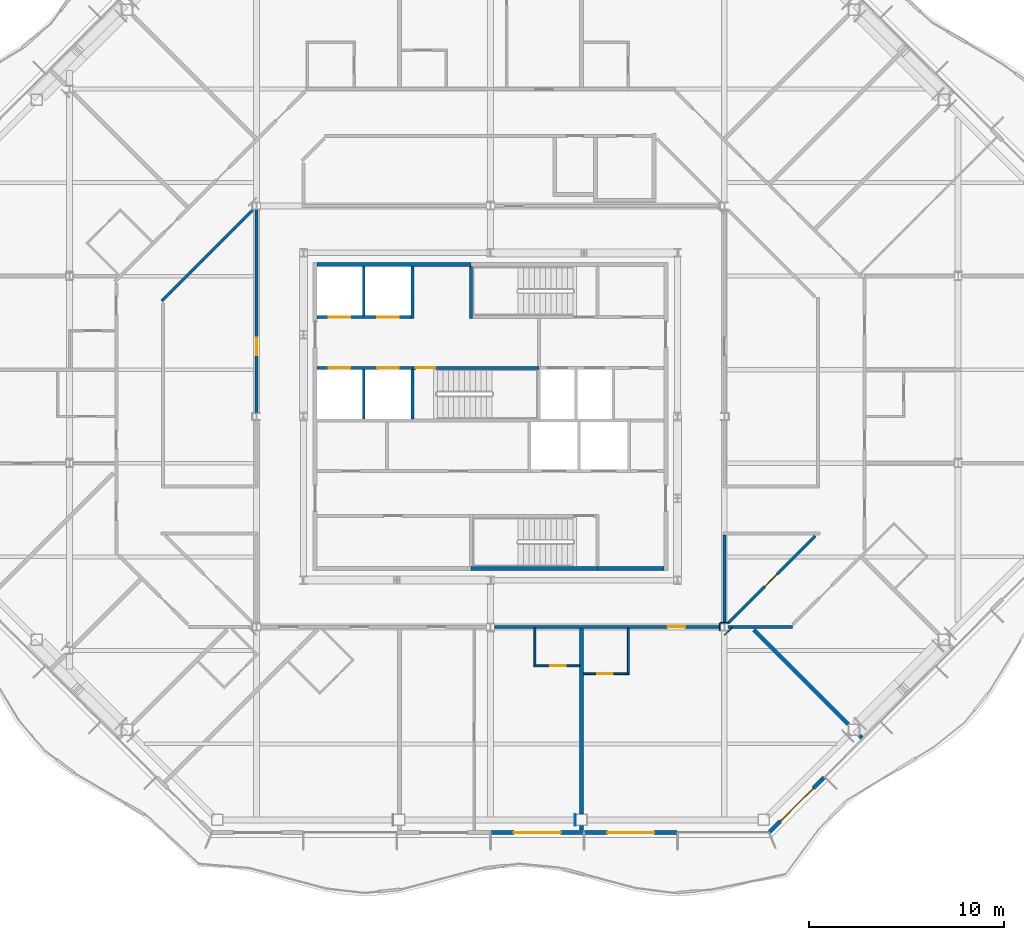
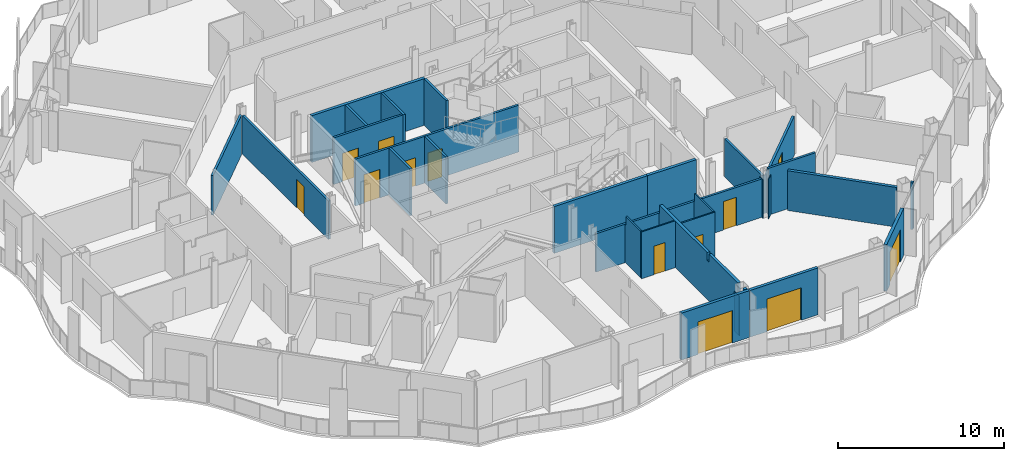
# One storey, part 9 of 21: 32 walls, 13 doors, 13 openings.
"""IFC4 building model written with IfcOpenShell, lengths in metres."""

from ifc_helpers import new_model, si_unit, direction, frame, frame_2d, origin, place, context, subcontext, project, spatial, polyline, rectangle, outline, extrude, material, layer, layer_set, type_object, element, fill, save


model = new_model("IFC4")

# Units and contexts
model_context = context("Model", 3, precision=1e-05, world=origin(), true_north=direction((0.0, 1.0)))
body_context = subcontext(model_context, "Body", "Model", "MODEL_VIEW")
ifc_project = project(units=[si_unit("LENGTHUNIT", "METRE"), si_unit("AREAUNIT", "SQUARE_METRE"), si_unit("VOLUMEUNIT", "CUBIC_METRE"), si_unit("PLANEANGLEUNIT", "RADIAN"), si_unit("MASSUNIT", "GRAM", prefix="KILO")], contexts=[model_context])

# Site, building, storey
site_placement = place(None, origin())
site = spatial("IfcSite", under=ifc_project, at=site_placement, CompositionType="ELEMENT")
building_placement = place(site_placement, origin())
building = spatial("IfcBuilding", under=site, at=building_placement, Name="Cairn Pilgrim Tower", CompositionType="ELEMENT")
storey_placement = place(building_placement, frame((0.0, 0.0, 154.199951171875)))
storey = spatial("IfcBuildingStorey", under=building, at=storey_placement, Name="L38", CompositionType="ELEMENT", Elevation=154.199951171875)

# Wall, opening, door
ifc_material_1 = material(Name="Bronze anodised aluminium insulated sandwich panel with mineral wool fill", Category="aluminium")
ifc_layer_1 = layer(ifc_material_1, 0.199951171875)
ifc_layer_set_1 = layer_set([ifc_layer_1], Name="BRONZE INFILL FRAME WALL 200")
wall_type_1 = type_object("IfcWallType", Name="BRONZE INFILL FRAME WALL 200", PredefinedType="NOTDEFINED", material=ifc_layer_set_1)
wall_1_placement = place(storey_placement, frame((7.22998046875, -18.949951171875, 0.0), z_axis=(0.0, 0.0, 1.0), x_axis=(1.0, 0.0, 0.0)))
wall_1 = element("IfcWall", 1, at=wall_1_placement, inside=storey, type_object=wall_type_1, Name="Bronze infill frame wall IW-S4", PredefinedType="NOTDEFINED", context=body_context, shape_type="SweptSolid", body=[
    extrude(rectangle(XDim=4.739990234375, YDim=0.199951171875, at=frame_2d((2.3701171875, 0.0))), origin(), (0.0, 0.0, 1.0), 3.449951171875),
])
opening_1_placement = place(wall_1_placement, frame((1.17041015625, 0.0, 0.0)))
opening_1 = element("IfcOpeningElement", 2, at=opening_1_placement, cuts=wall_1, Name="Opening 3820SB", PredefinedType="OPENING", context=body_context, shape_type="SweptSolid", body=[
    extrude(rectangle(XDim=2.39990234375, YDim=2.39990234375, at=frame_2d((1.199951171875, 1.199951171875))), frame((0.0, 0.10986328125, 0.0), z_axis=(0.0, -1.0, 0.0), x_axis=(1.0, 0.0, 0.0)), (0.0, 0.0, 1.0), 0.219970703125),
])
ifc_material_2 = material(Name="Bronze anodised aluminium frame with tinted low-E glass", Category="aluminium")
door_type_1 = type_object("IfcDoorType", Name="BALCONY SLIDING DOOR 2400x2400", OperationType="DOUBLE_DOOR_SLIDING", PredefinedType="DOOR", material=ifc_material_2)
door_1_placement = place(opening_1_placement, origin())
door_1 = element("IfcDoor", 3, at=door_1_placement, inside=storey, type_object=door_type_1, Name="Balcony sliding door 3820SB", OperationType="SINGLE_SWING_LEFT", OverallHeight=2.39990234375, OverallWidth=2.39990234375, PredefinedType="DOOR", context=body_context, shape_type="SweptSolid", body=[
    extrude(rectangle(XDim=2.39990234375, YDim=2.39990234375, at=frame_2d((1.199951171875, 1.199951171875))), frame((0.0, 0.02490234375, 0.0), z_axis=(0.0, -1.0, 0.0), x_axis=(1.0, 0.0, 0.0)), (0.0, 0.0, 1.0), 0.050048828125),
])
fill(opening_1, door_1)

wall_2_placement = place(storey_placement, frame((12.030029296875, -18.949951171875, 0.0), z_axis=(0.0, 0.0, 1.0), x_axis=(1.0, 0.0, 0.0)))
wall_2 = element("IfcWall", 4, at=wall_2_placement, inside=storey, type_object=wall_type_1, Name="Bronze infill frame wall IW-S5", PredefinedType="NOTDEFINED", context=body_context, shape_type="SweptSolid", body=[
    extrude(rectangle(XDim=4.739990234375, YDim=0.199951171875, at=frame_2d((2.3701171875, 0.0))), origin(), (0.0, 0.0, 1.0), 3.449951171875),
])
opening_2_placement = place(wall_2_placement, frame((1.169677734375, 0.0, 0.0)))
opening_2 = element("IfcOpeningElement", 5, at=opening_2_placement, cuts=wall_2, Name="Opening 3801B", PredefinedType="OPENING", context=body_context, shape_type="SweptSolid", body=[
    extrude(rectangle(XDim=2.39990234375, YDim=2.39990234375, at=frame_2d((1.199951171875, 1.199951171875))), frame((0.0, 0.10986328125, 0.0), z_axis=(0.0, -1.0, 0.0), x_axis=(1.0, 0.0, 0.0)), (0.0, 0.0, 1.0), 0.219970703125),
])
door_2_placement = place(opening_2_placement, origin())
door_2 = element("IfcDoor", 6, at=door_2_placement, inside=storey, type_object=door_type_1, Name="Balcony sliding door 3801B", OperationType="SINGLE_SWING_LEFT", OverallHeight=2.39990234375, OverallWidth=2.39990234375, PredefinedType="DOOR", context=body_context, shape_type="SweptSolid", body=[
    extrude(rectangle(XDim=2.39990234375, YDim=2.39990234375, at=frame_2d((1.199951171875, 1.199951171875))), frame((0.0, 0.02490234375, 0.0), z_axis=(0.0, -1.0, 0.0), x_axis=(1.0, 0.0, 0.0)), (0.0, 0.0, 1.0), 0.050048828125),
])
fill(opening_2, door_2)

wall_3_placement = place(storey_placement, frame((21.524658203125, -18.921630859375, 0.0), z_axis=(0.0, 0.0, 1.0), x_axis=(0.707137595296, 0.707075965734, 0.0)))
wall_3 = element("IfcWall", 7, at=wall_3_placement, inside=storey, type_object=wall_type_1, Name="Bronze infill frame wall IW-SE1", PredefinedType="NOTDEFINED", context=body_context, shape_type="SweptSolid", body=[
    extrude(rectangle(XDim=3.96142578125, YDim=0.199951171875, at=frame_2d((1.980712890625, 0.0))), origin(), (0.0, 0.0, 1.0), 3.449951171875),
])
opening_3_placement = place(wall_3_placement, frame((0.775390625, 0.0, 0.0)))
opening_3 = element("IfcOpeningElement", 8, at=opening_3_placement, cuts=wall_3, Name="Opening 3801B2", PredefinedType="OPENING", context=body_context, shape_type="SweptSolid", body=[
    extrude(rectangle(XDim=2.39990234375, YDim=2.39990234375, at=frame_2d((1.199951171875, 1.199951171875))), frame((0.0, 0.10986328125, 0.0), z_axis=(0.0, -1.0, 0.0), x_axis=(1.0, 0.0, 0.0)), (0.0, 0.0, 1.0), 0.219970703125),
])
door_3_placement = place(opening_3_placement, origin())
door_3 = element("IfcDoor", 9, at=door_3_placement, inside=storey, type_object=door_type_1, Name="Balcony sliding door 3801B2", OperationType="SINGLE_SWING_LEFT", OverallHeight=2.39990234375, OverallWidth=2.39990234375, PredefinedType="DOOR", context=body_context, shape_type="SweptSolid", body=[
    extrude(rectangle(XDim=2.39990234375, YDim=2.39990234375, at=frame_2d((1.199951171875, 1.199951171875))), frame((0.0, 0.02490234375, 0.0), z_axis=(0.0, -1.0, 0.0), x_axis=(1.0, 0.0, 0.0)), (0.0, 0.0, 1.0), 0.050048828125),
])
fill(opening_3, door_3)

# Walls
ifc_material_3 = material(Name="Concrete C32/40", Category="concrete")
ifc_layer_2 = layer(ifc_material_3, 0.199951171875)
ifc_layer_set_2 = layer_set([ifc_layer_2], Name="CORE OUTER WALL 200 EI 120")
wall_type_2 = type_object("IfcWallType", Name="CORE OUTER WALL 200 EI 120", PredefinedType="SOLIDWALL", material=ifc_layer_set_2)
wall_4_placement = place(storey_placement, frame((12.699951171875, -5.39990234375, 0.0), z_axis=(0.0, 0.0, 1.0), x_axis=(1.0, 0.0, 0.0)))
element("IfcWall", 10, at=wall_4_placement, inside=storey, type_object=wall_type_2, Name="CW:L38:H01-3", PredefinedType="SOLIDWALL", context=body_context, shape_type="SweptSolid", body=[
    extrude(rectangle(XDim=3.400146484375, YDim=0.199951171875, at=frame_2d((1.7001953125, 0.0))), origin(), (0.0, 0.0, 1.0), 3.449951171875),
])
wall_5_placement = place(storey_placement, frame((-1.699951171875, 10.199951171875, 0.0), z_axis=(0.0, 0.0, 1.0), x_axis=(1.0, 0.0, 0.0)))
element("IfcWall", 11, at=wall_5_placement, inside=storey, type_object=wall_type_2, Name="CW:L38:H12-1", PredefinedType="SOLIDWALL", context=body_context, shape_type="SweptSolid", body=[
    extrude(rectangle(XDim=7.89990234375, YDim=0.199951171875, at=frame_2d((3.949951171875, 0.0))), origin(), (0.0, 0.0, 1.0), 3.449951171875),
])

# Wall, openings, doors
ifc_layer_3 = layer(ifc_material_3, 0.14990234375)
ifc_layer_set_3 = layer_set([ifc_layer_3], Name="CORE SHAFT WALL 150 EI 120")
wall_type_3 = type_object("IfcWallType", Name="CORE SHAFT WALL 150 EI 120", PredefinedType="SOLIDWALL", material=ifc_layer_set_3)
wall_6_placement = place(storey_placement, frame((-1.699951171875, 4.89990234375, 0.0), z_axis=(0.0, 0.0, 1.0), x_axis=(1.0, 0.0, 0.0)))
wall_6 = element("IfcWall", 12, at=wall_6_placement, inside=storey, type_object=wall_type_3, Name="CW:L38:H09-1", PredefinedType="SOLIDWALL", context=body_context, shape_type="SweptSolid", body=[
    extrude(rectangle(XDim=4.89990234375, YDim=0.14990234375, at=frame_2d((2.449951171875, 0.0))), origin(), (0.0, 0.0, 1.0), 3.449951171875),
])
opening_4_placement = place(wall_6_placement, frame((0.60009765625, 0.0, 0.0)))
opening_4 = element("IfcOpeningElement", 13, at=opening_4_placement, cuts=wall_6, Name="Opening LD-HR1", PredefinedType="OPENING", context=body_context, shape_type="SweptSolid", body=[
    extrude(rectangle(XDim=1.10009765625, YDim=2.10009765625, at=frame_2d((0.550048828125, 1.050048828125))), frame((0.0, 0.0849609375, 0.0), z_axis=(0.0, -1.0, 0.0), x_axis=(1.0, 0.0, 0.0)), (0.0, 0.0, 1.0), 0.169921875),
])
opening_5_placement = place(wall_6_placement, frame((3.10009765625, 0.0, 0.0)))
opening_5 = element("IfcOpeningElement", 14, at=opening_5_placement, cuts=wall_6, Name="Opening LD-HR2", PredefinedType="OPENING", context=body_context, shape_type="SweptSolid", body=[
    extrude(rectangle(XDim=1.10009765625, YDim=2.10009765625, at=frame_2d((0.550048828125, 1.050048828125))), frame((0.0, 0.0849609375, 0.0), z_axis=(0.0, -1.0, 0.0), x_axis=(1.0, 0.0, 0.0)), (0.0, 0.0, 1.0), 0.169921875),
])
ifc_material_4 = material(Name="Stainless steel", Category="steel")
door_type_2 = type_object("IfcDoorType", Name="LIFT LANDING DOOR 1100x2100", OperationType="DOUBLE_DOOR_SLIDING", PredefinedType="DOOR", material=ifc_material_4)
door_4_placement = place(opening_4_placement, origin())
door_4 = element("IfcDoor", 15, at=door_4_placement, inside=storey, type_object=door_type_2, Name="LANDING DOOR HR1", OperationType="DOUBLE_DOOR_SLIDING", OverallHeight=2.10009765625, OverallWidth=1.10009765625, PredefinedType="DOOR", context=body_context, shape_type="SweptSolid", body=[
    extrude(rectangle(XDim=1.10009765625, YDim=2.10009765625, at=frame_2d((0.550048828125, 1.050048828125))), frame((0.0, 0.02490234375, 0.0), z_axis=(0.0, -1.0, 0.0), x_axis=(1.0, 0.0, 0.0)), (0.0, 0.0, 1.0), 0.050048828125),
])
fill(opening_4, door_4)
door_5_placement = place(opening_5_placement, origin())
door_5 = element("IfcDoor", 16, at=door_5_placement, inside=storey, type_object=door_type_2, Name="LANDING DOOR HR2", OperationType="DOUBLE_DOOR_SLIDING", OverallHeight=2.10009765625, OverallWidth=1.10009765625, PredefinedType="DOOR", context=body_context, shape_type="SweptSolid", body=[
    extrude(rectangle(XDim=1.10009765625, YDim=2.10009765625, at=frame_2d((0.550048828125, 1.050048828125))), frame((0.0, 0.02490234375, 0.0), z_axis=(0.0, -1.0, 0.0), x_axis=(1.0, 0.0, 0.0)), (0.0, 0.0, 1.0), 0.050048828125),
])
fill(opening_5, door_5)

wall_7_placement = place(storey_placement, frame((-1.699951171875, 7.5, 0.0), z_axis=(0.0, 0.0, 1.0), x_axis=(1.0, 0.0, 0.0)))
wall_7 = element("IfcWall", 17, at=wall_7_placement, inside=storey, type_object=wall_type_3, Name="CW:L38:H10", PredefinedType="SOLIDWALL", context=body_context, shape_type="SweptSolid", body=[
    extrude(rectangle(XDim=4.824951171875, YDim=0.14990234375, at=frame_2d((2.41259765625, 0.0))), origin(), (0.0, 0.0, 1.0), 3.449951171875),
])
opening_6_placement = place(wall_7_placement, frame((0.60009765625, 0.0, 0.0)))
opening_6 = element("IfcOpeningElement", 18, at=opening_6_placement, cuts=wall_7, Name="Opening LD-HR3", PredefinedType="OPENING", context=body_context, shape_type="SweptSolid", body=[
    extrude(rectangle(XDim=1.10009765625, YDim=2.10009765625, at=frame_2d((0.550048828125, 1.050048828125))), frame((0.0, 0.0849609375, 0.0), z_axis=(0.0, -1.0, 0.0), x_axis=(1.0, 0.0, 0.0)), (0.0, 0.0, 1.0), 0.169921875),
])
opening_7_placement = place(wall_7_placement, frame((3.10009765625, 0.0, 0.0)))
opening_7 = element("IfcOpeningElement", 19, at=opening_7_placement, cuts=wall_7, Name="Opening LD-HR4", PredefinedType="OPENING", context=body_context, shape_type="SweptSolid", body=[
    extrude(rectangle(XDim=1.10009765625, YDim=2.10009765625, at=frame_2d((0.550048828125, 1.050048828125))), frame((0.0, 0.0849609375, 0.0), z_axis=(0.0, -1.0, 0.0), x_axis=(1.0, 0.0, 0.0)), (0.0, 0.0, 1.0), 0.169921875),
])
door_6_placement = place(opening_6_placement, origin())
door_6 = element("IfcDoor", 20, at=door_6_placement, inside=storey, type_object=door_type_2, Name="LANDING DOOR HR3", OperationType="DOUBLE_DOOR_SLIDING", OverallHeight=2.10009765625, OverallWidth=1.10009765625, PredefinedType="DOOR", context=body_context, shape_type="SweptSolid", body=[
    extrude(rectangle(XDim=1.10009765625, YDim=2.10009765625, at=frame_2d((0.550048828125, 1.050048828125))), frame((0.0, 0.02490234375, 0.0), z_axis=(0.0, -1.0, 0.0), x_axis=(1.0, 0.0, 0.0)), (0.0, 0.0, 1.0), 0.050048828125),
])
fill(opening_6, door_6)
door_7_placement = place(opening_7_placement, origin())
door_7 = element("IfcDoor", 21, at=door_7_placement, inside=storey, type_object=door_type_2, Name="LANDING DOOR HR4", OperationType="DOUBLE_DOOR_SLIDING", OverallHeight=2.10009765625, OverallWidth=1.10009765625, PredefinedType="DOOR", context=body_context, shape_type="SweptSolid", body=[
    extrude(rectangle(XDim=1.10009765625, YDim=2.10009765625, at=frame_2d((0.550048828125, 1.050048828125))), frame((0.0, 0.02490234375, 0.0), z_axis=(0.0, -1.0, 0.0), x_axis=(1.0, 0.0, 0.0)), (0.0, 0.0, 1.0), 0.050048828125),
])
fill(opening_7, door_7)

# Walls
wall_8_placement = place(storey_placement, frame((0.699951171875, 2.27490234375, 0.0), z_axis=(0.0, 0.0, 1.0), x_axis=(0.0, 1.0, 0.0)))
element("IfcWall", 22, at=wall_8_placement, inside=storey, type_object=wall_type_3, Name="CW:L38:V14", PredefinedType="SOLIDWALL", context=body_context, shape_type="SweptSolid", body=[
    extrude(rectangle(XDim=2.550048828125, YDim=0.14990234375, at=frame_2d((1.27490234375, 0.0))), origin(), (0.0, 0.0, 1.0), 3.449951171875),
])
wall_9_placement = place(storey_placement, frame((0.699951171875, 7.574951171875, 0.0), z_axis=(0.0, 0.0, 1.0), x_axis=(0.0, 1.0, 0.0)))
element("IfcWall", 23, at=wall_9_placement, inside=storey, type_object=wall_type_3, Name="CW:L38:V15", PredefinedType="SOLIDWALL", context=body_context, shape_type="SweptSolid", body=[
    extrude(rectangle(XDim=2.525146484375, YDim=0.14990234375, at=frame_2d((1.2626953125, 0.0))), origin(), (0.0, 0.0, 1.0), 3.449951171875),
])
wall_10_placement = place(storey_placement, frame((3.199951171875, 7.425048828125, 0.0), z_axis=(0.0, 0.0, 1.0), x_axis=(0.0, 1.0, 0.0)))
element("IfcWall", 24, at=wall_10_placement, inside=storey, type_object=wall_type_3, Name="CW:L38:V18", PredefinedType="SOLIDWALL", context=body_context, shape_type="SweptSolid", body=[
    extrude(rectangle(XDim=2.675048828125, YDim=0.14990234375, at=frame_2d((1.33740234375, 0.0))), origin(), (0.0, 0.0, 1.0), 3.449951171875),
])

# Wall, opening, door
ifc_material_5 = material(Name="Gypsum partition")
ifc_layer_4 = layer(ifc_material_5, 0.10009765625)
ifc_layer_set_4 = layer_set([ifc_layer_4], Name="PARTITION 100 DRYWALL")
wall_type_4 = type_object("IfcWallType", Name="PARTITION 100 DRYWALL", PredefinedType="PARTITIONING", material=ifc_layer_set_4)
wall_11_placement = place(storey_placement, frame((11.97607421875, -10.800048828125, 0.0), z_axis=(0.0, 0.0, 1.0), x_axis=(1.0, 0.0, 0.0)))
wall_11 = element("IfcWall", 25, at=wall_11_placement, inside=storey, type_object=wall_type_4, Name="PARTITION W015", PredefinedType="PARTITIONING", context=body_context, shape_type="SweptSolid", body=[
    extrude(rectangle(XDim=2.349853515625, YDim=0.10009765625, at=frame_2d((1.1748046875, 0.0))), origin(), (0.0, 0.0, 1.0), 3.449951171875),
])
opening_8_placement = place(wall_11_placement, frame((0.699951171875, 0.0, 0.0)))
opening_8 = element("IfcOpeningElement", 26, at=opening_8_placement, cuts=wall_11, Name="Opening 3801A", PredefinedType="OPENING", context=body_context, shape_type="SweptSolid", body=[
    extrude(rectangle(XDim=0.800048828125, YDim=2.10009765625, at=frame_2d((0.39990234375, 1.050048828125))), frame((0.0, 0.06005859375, 0.0), z_axis=(0.0, -1.0, 0.0), x_axis=(1.0, 0.0, 0.0)), (0.0, 0.0, 1.0), 0.1201171875),
])
ifc_material_6 = material(Name="Timber door leaf", Category="wood")
door_type_3 = type_object("IfcDoorType", Name="WC DOOR 800x2100", OperationType="NOTDEFINED", PredefinedType="DOOR", material=ifc_material_6)
door_8_placement = place(opening_8_placement, frame((0.800048828125, 0.0, 0.0), z_axis=(0.0, 0.0, 1.0), x_axis=(-1.0, 0.0, 0.0)))
door_8 = element("IfcDoor", 27, at=door_8_placement, inside=storey, type_object=door_type_3, Name="DOOR 3801A", OperationType="SINGLE_SWING_LEFT", OverallHeight=2.10009765625, OverallWidth=0.800048828125, PredefinedType="DOOR", context=body_context, shape_type="SweptSolid", body=[
    extrude(rectangle(XDim=0.800048828125, YDim=2.10009765625, at=frame_2d((0.39990234375, 1.050048828125))), frame((0.0, 0.02490234375, 0.0), z_axis=(0.0, -1.0, 0.0), x_axis=(1.0, 0.0, 0.0)), (0.0, 0.0, 1.0), 0.050048828125),
])
fill(opening_8, door_8)

# Wall
wall_12_placement = place(storey_placement, frame((14.27587890625, -10.75, 0.0), z_axis=(0.0, 0.0, 1.0), x_axis=(0.0, 1.0, 0.0)))
element("IfcWall", 28, at=wall_12_placement, inside=storey, type_object=wall_type_4, Name="PARTITION W016", PredefinedType="PARTITIONING", context=body_context, shape_type="SweptSolid", body=[
    extrude(outline(polyline([(0.0, 0.0), (2.27490234375, 0.0), (2.27490234375, 2.830078125), (2.199951171875, 2.830078125), (2.197998046875, 3.449951171875), (0.0, 3.449951171875), (0.0, 0.0)])), frame((0.0, 0.050048828125, 0.0), z_axis=(0.0, -1.0, 0.0), x_axis=(1.0, 0.0, 0.0)), (0.0, 0.0, 1.0), 0.10009765625),
])

# Wall, opening, door
wall_13_placement = place(storey_placement, frame((9.426025390625, -10.39990234375, 0.0), z_axis=(0.0, 0.0, 1.0), x_axis=(1.0, 0.0, 0.0)))
wall_13 = element("IfcWall", 29, at=wall_13_placement, inside=storey, type_object=wall_type_4, Name="PARTITION W018", PredefinedType="PARTITIONING", context=body_context, shape_type="SweptSolid", body=[
    extrude(rectangle(XDim=2.349853515625, YDim=0.10009765625, at=frame_2d((1.1748046875, 0.0))), origin(), (0.0, 0.0, 1.0), 3.449951171875),
])
opening_9_placement = place(wall_13_placement, frame((0.85009765625, 0.0, 0.0)))
opening_9 = element("IfcOpeningElement", 30, at=opening_9_placement, cuts=wall_13, Name="Opening 3820A", PredefinedType="OPENING", context=body_context, shape_type="SweptSolid", body=[
    extrude(rectangle(XDim=0.800048828125, YDim=2.10009765625, at=frame_2d((0.39990234375, 1.050048828125))), frame((0.0, 0.06005859375, 0.0), z_axis=(0.0, -1.0, 0.0), x_axis=(1.0, 0.0, 0.0)), (0.0, 0.0, 1.0), 0.1201171875),
])
door_9_placement = place(opening_9_placement, frame((0.800048828125, 0.0, 0.0), z_axis=(0.0, 0.0, 1.0), x_axis=(-1.0, 0.0, 0.0)))
door_9 = element("IfcDoor", 31, at=door_9_placement, inside=storey, type_object=door_type_3, Name="DOOR 3820A", OperationType="SINGLE_SWING_LEFT", OverallHeight=2.10009765625, OverallWidth=0.800048828125, PredefinedType="DOOR", context=body_context, shape_type="SweptSolid", body=[
    extrude(rectangle(XDim=0.800048828125, YDim=2.10009765625, at=frame_2d((0.39990234375, 1.050048828125))), frame((0.0, 0.02490234375, 0.0), z_axis=(0.0, -1.0, 0.0), x_axis=(1.0, 0.0, 0.0)), (0.0, 0.0, 1.0), 0.050048828125),
])
fill(opening_9, door_9)

# Wall
wall_14_placement = place(storey_placement, frame((9.47607421875, -10.35009765625, 0.0), z_axis=(0.0, 0.0, 1.0), x_axis=(0.0, 1.0, 0.0)))
element("IfcWall", 32, at=wall_14_placement, inside=storey, type_object=wall_type_4, Name="PARTITION W019", PredefinedType="PARTITIONING", context=body_context, shape_type="SweptSolid", body=[
    extrude(outline(polyline([(0.0, 0.0), (1.875, 0.0), (1.875, 2.830078125), (1.800048828125, 2.830078125), (1.798095703125, 3.449951171875), (0.0, 3.449951171875), (0.0, 0.0)])), frame((0.0, 0.050048828125, 0.0), z_axis=(0.0, -1.0, 0.0), x_axis=(1.0, 0.0, 0.0)), (0.0, 0.0, 1.0), 0.10009765625),
])

# Wall, opening, door
ifc_layer_5 = layer(ifc_material_5, 0.14990234375)
ifc_layer_set_5 = layer_set([ifc_layer_5], Name="PARTITION 150 DRYWALL EI 60")
wall_type_5 = type_object("IfcWallType", Name="PARTITION 150 DRYWALL EI 60", PredefinedType="PARTITIONING", material=ifc_layer_set_5)
wall_15_placement = place(storey_placement, frame((7.3994140625, -8.39990234375, 0.0), z_axis=(0.0, 0.0, 1.0), x_axis=(1.0, 0.0, 0.0)))
wall_15 = element("IfcWall", 33, at=wall_15_placement, inside=storey, type_object=wall_type_5, Name="PARTITION W028", PredefinedType="PARTITIONING", context=body_context, shape_type="SweptSolid", body=[
    extrude(rectangle(XDim=11.60107421875, YDim=0.14990234375, at=frame_2d((5.800537109375, 0.0))), origin(), (0.0, 0.0, 1.0), 2.830078125),
])
opening_10_placement = place(wall_15_placement, frame((8.888427734375, 0.0, 0.0)))
opening_10 = element("IfcOpeningElement", 34, at=opening_10_placement, cuts=wall_15, Name="Opening 3801", PredefinedType="OPENING", context=body_context, shape_type="SweptSolid", body=[
    extrude(rectangle(XDim=0.89990234375, YDim=2.10009765625, at=frame_2d((0.449951171875, 1.050048828125))), frame((0.0, 0.0849609375, 0.0), z_axis=(0.0, -1.0, 0.0), x_axis=(1.0, 0.0, 0.0)), (0.0, 0.0, 1.0), 0.169921875),
])
door_type_4 = type_object("IfcDoorType", Name="ROOM DOOR 900x2100 FD30S", OperationType="NOTDEFINED", PredefinedType="DOOR", material=ifc_material_6)
door_10_placement = place(opening_10_placement, frame((0.89990234375, 0.0, 0.0), z_axis=(0.0, 0.0, 1.0), x_axis=(-1.0, 0.0, 0.0)))
door_10 = element("IfcDoor", 35, at=door_10_placement, inside=storey, type_object=door_type_4, Name="DOOR 3801", OperationType="SINGLE_SWING_LEFT", OverallHeight=2.10009765625, OverallWidth=0.89990234375, PredefinedType="DOOR", context=body_context, shape_type="SweptSolid", body=[
    extrude(rectangle(XDim=0.89990234375, YDim=2.10009765625, at=frame_2d((0.449951171875, 1.050048828125))), frame((0.0, 0.02490234375, 0.0), z_axis=(0.0, -1.0, 0.0), x_axis=(1.0, 0.0, 0.0)), (0.0, 0.0, 1.0), 0.050048828125),
])
fill(opening_10, door_10)

# Walls
wall_16_placement = place(storey_placement, frame((19.3994140625, -8.39990234375, 0.0), z_axis=(0.0, 0.0, 1.0), x_axis=(1.0, 0.0, 0.0)))
element("IfcWall", 36, at=wall_16_placement, inside=storey, type_object=wall_type_5, Name="PARTITION W029", PredefinedType="PARTITIONING", context=body_context, shape_type="SweptSolid", body=[
    extrude(rectangle(XDim=3.300537109375, YDim=0.14990234375, at=frame_2d((1.650390625, 0.0))), origin(), (0.0, 0.0, 1.0), 3.449951171875),
])
wall_17_placement = place(storey_placement, frame((19.199951171875, -8.20361328125, 0.0), z_axis=(0.0, 0.0, 1.0), x_axis=(0.0, 1.0, 0.0)))
element("IfcWall", 37, at=wall_17_placement, inside=storey, type_object=wall_type_5, Name="PARTITION W034", PredefinedType="PARTITIONING", context=body_context, shape_type="SweptSolid", body=[
    extrude(rectangle(XDim=4.528564453125, YDim=0.14990234375, at=frame_2d((2.26416015625, 0.0))), origin(), (0.0, 0.0, 1.0), 2.830078125),
])

# Wall, opening, door
wall_18_placement = place(storey_placement, frame((19.39794921875, -8.201904296875, 0.0), z_axis=(0.0, 0.0, 1.0), x_axis=(0.707126073897, 0.70708748795, 0.0)))
wall_18 = element("IfcWall", 38, at=wall_18_placement, inside=storey, type_object=wall_type_5, Name="PARTITION W035", PredefinedType="PARTITIONING", context=body_context, shape_type="SweptSolid", body=[
    extrude(rectangle(XDim=6.3271484375, YDim=0.14990234375, at=frame_2d((3.16357421875, 0.0))), origin(), (0.0, 0.0, 1.0), 2.880126953125),
])
opening_11_placement = place(wall_18_placement, frame((2.6640625, 0.0, 0.0)))
opening_11 = element("IfcOpeningElement", 39, at=opening_11_placement, cuts=wall_18, Name="Opening 3825", PredefinedType="OPENING", context=body_context, shape_type="SweptSolid", body=[
    extrude(rectangle(XDim=0.89990234375, YDim=2.10009765625, at=frame_2d((0.449951171875, 1.050048828125))), frame((0.0, 0.0849609375, 0.0), z_axis=(0.0, -1.0, 0.0), x_axis=(1.0, 0.0, 0.0)), (0.0, 0.0, 1.0), 0.169921875),
])
door_type_5 = type_object("IfcDoorType", Name="SERVICE DOOR 900x2100 FD30S", OperationType="NOTDEFINED", PredefinedType="DOOR", material=ifc_material_6)
door_11_placement = place(opening_11_placement, origin())
door_11 = element("IfcDoor", 40, at=door_11_placement, inside=storey, type_object=door_type_5, Name="DOOR 3825", OperationType="SINGLE_SWING_LEFT", OverallHeight=2.10009765625, OverallWidth=0.89990234375, PredefinedType="DOOR", context=body_context, shape_type="SweptSolid", body=[
    extrude(rectangle(XDim=0.89990234375, YDim=2.10009765625, at=frame_2d((0.449951171875, 1.050048828125))), frame((0.0, 0.02490234375, 0.0), z_axis=(0.0, -1.0, 0.0), x_axis=(1.0, 0.0, 0.0)), (0.0, 0.0, 1.0), 0.050048828125),
])
fill(opening_11, door_11)

wall_19_placement = place(storey_placement, frame((-4.800048828125, 2.596435546875, 0.0), z_axis=(0.0, 0.0, 1.0), x_axis=(0.0, 1.0, 0.0)))
wall_19 = element("IfcWall", 41, at=wall_19_placement, inside=storey, type_object=wall_type_5, Name="PARTITION W058", PredefinedType="PARTITIONING", context=body_context, shape_type="SweptSolid", body=[
    extrude(rectangle(XDim=10.406982421875, YDim=0.14990234375, at=frame_2d((5.20361328125, 0.0))), origin(), (0.0, 0.0, 1.0), 2.830078125),
])
opening_12_placement = place(wall_19_placement, frame((2.95361328125, 0.0, 0.0)))
opening_12 = element("IfcOpeningElement", 42, at=opening_12_placement, cuts=wall_19, Name="Opening 3828", PredefinedType="OPENING", context=body_context, shape_type="SweptSolid", body=[
    extrude(rectangle(XDim=0.89990234375, YDim=2.10009765625, at=frame_2d((0.449951171875, 1.050048828125))), frame((0.0, 0.0849609375, 0.0), z_axis=(0.0, -1.0, 0.0), x_axis=(1.0, 0.0, 0.0)), (0.0, 0.0, 1.0), 0.169921875),
])
door_12_placement = place(opening_12_placement, origin())
door_12 = element("IfcDoor", 43, at=door_12_placement, inside=storey, type_object=door_type_5, Name="DOOR 3828", OperationType="SINGLE_SWING_LEFT", OverallHeight=2.10009765625, OverallWidth=0.89990234375, PredefinedType="DOOR", context=body_context, shape_type="SweptSolid", body=[
    extrude(rectangle(XDim=0.89990234375, YDim=2.10009765625, at=frame_2d((0.449951171875, 1.050048828125))), frame((0.0, 0.02490234375, 0.0), z_axis=(0.0, -1.0, 0.0), x_axis=(1.0, 0.0, 0.0)), (0.0, 0.0, 1.0), 0.050048828125),
])
fill(opening_12, door_12)

# Walls
wall_20_placement = place(storey_placement, frame((-9.675048828125, 8.324951171875, 0.0), z_axis=(0.0, 0.0, 1.0), x_axis=(0.707106781187, 0.707106781187, 0.0)))
element("IfcWall", 44, at=wall_20_placement, inside=storey, type_object=wall_type_5, Name="PARTITION W066", PredefinedType="PARTITIONING", context=body_context, shape_type="SweptSolid", body=[
    extrude(rectangle(XDim=6.6142578125, YDim=0.14990234375, at=frame_2d((3.30712890625, 0.0))), origin(), (0.0, 0.0, 1.0), 2.929931640625),
])
ifc_layer_6 = layer(ifc_material_5, 0.050048828125)
ifc_layer_set_6 = layer_set([ifc_layer_6], Name="PARTITION 50 DRYWALL EI 60")
wall_type_6 = type_object("IfcWallType", Name="PARTITION 50 DRYWALL EI 60", PredefinedType="PARTITIONING", material=ifc_layer_set_6)
wall_21_placement = place(storey_placement, frame((11.55078125, -18.60009765625, 0.0), z_axis=(0.0, 0.0, 1.0), x_axis=(0.0, 1.0, 0.0)))
element("IfcWall", 45, at=wall_21_placement, inside=storey, type_object=wall_type_6, Name="COLUMN CASING WC02", PredefinedType="PARTITIONING", context=body_context, shape_type="SweptSolid", body=[
    extrude(rectangle(XDim=0.60009765625, YDim=0.050048828125, at=frame_2d((0.300048828125, 0.0))), origin(), (0.0, 0.0, 1.0), 2.929931640625),
])
wall_22_placement = place(storey_placement, frame((19.00048828125, -8.178466796875, 0.0), z_axis=(0.0, 0.0, 1.0), x_axis=(1.0, 0.0, 0.0)))
element("IfcWall", 46, at=wall_22_placement, inside=storey, type_object=wall_type_6, Name="COLUMN CASING WC12", PredefinedType="PARTITIONING", context=body_context, shape_type="SweptSolid", body=[
    extrude(rectangle(XDim=0.39892578125, YDim=0.050048828125, at=frame_2d((0.199462890625, 0.0))), origin(), (0.0, 0.0, 1.0), 2.830078125),
])
wall_23_placement = place(storey_placement, frame((18.9755859375, -8.596435546875, 0.0), z_axis=(0.0, 0.0, 1.0), x_axis=(0.0, 1.0, 0.0)))
element("IfcWall", 47, at=wall_23_placement, inside=storey, type_object=wall_type_6, Name="COLUMN CASING WC15", PredefinedType="PARTITIONING", context=body_context, shape_type="SweptSolid", body=[
    extrude(rectangle(XDim=0.392822265625, YDim=0.050048828125, at=frame_2d((0.1962890625, 0.0))), origin(), (0.0, 0.0, 1.0), 2.830078125),
])
wall_24_placement = place(storey_placement, frame((19.2177734375, -8.813720703125, 0.0), z_axis=(0.0, 0.0, 1.0), x_axis=(0.707106781187, 0.707106781187, 0.0)))
element("IfcWall", 48, at=wall_24_placement, inside=storey, type_object=wall_type_6, Name="COLUMN CASING WC16", PredefinedType="PARTITIONING", context=body_context, shape_type="SweptSolid", body=[
    extrude(rectangle(XDim=0.56005859375, YDim=0.050048828125, at=frame_2d((0.280029296875, 0.0))), origin(), (0.0, 0.0, 1.0), 2.929931640625),
])
ifc_layer_7 = layer(ifc_material_5, 0.199951171875)
ifc_layer_set_7 = layer_set([ifc_layer_7], Name="SHAFT WALL 200 GYPSUM EI 60")
wall_type_7 = type_object("IfcWallType", Name="SHAFT WALL 200 GYPSUM EI 60", PredefinedType="PARTITIONING", material=ifc_layer_set_7)
wall_25_placement = place(storey_placement, frame((11.8759765625, -18.820068359375, 0.0), z_axis=(0.0, 0.0, 1.0), x_axis=(0.0, 1.0, 0.0)))
element("IfcWall", 49, at=wall_25_placement, inside=storey, type_object=wall_type_7, Name="PARTITION W003", PredefinedType="PARTITIONING", context=body_context, shape_type="SweptSolid", body=[
    extrude(rectangle(XDim=0.219970703125, YDim=0.199951171875, at=frame_2d((0.10986328125, 0.0))), origin(), (0.0, 0.0, 1.0), 3.449951171875),
])
wall_26_placement = place(storey_placement, frame((11.8759765625, -18.0, 0.0), z_axis=(0.0, 0.0, 1.0), x_axis=(0.0, 1.0, 0.0)))
element("IfcWall", 50, at=wall_26_placement, inside=storey, type_object=wall_type_7, Name="PARTITION W005", PredefinedType="PARTITIONING", context=body_context, shape_type="SweptSolid", body=[
    extrude(outline(polyline([(0.0, 0.0), (9.52490234375, 0.0), (9.52490234375, 2.830078125), (9.449951171875, 2.830078125), (9.447998046875, 3.449951171875), (3.705078125, 3.449951171875), (3.702880859375, 2.880126953125), (3.4951171875, 2.880126953125), (3.492919921875, 3.449951171875), (0.0, 3.449951171875), (0.0, 0.0)])), frame((0.0, 0.10009765625, 0.0), z_axis=(0.0, -1.0, 0.0), x_axis=(1.0, 0.0, 0.0)), (0.0, 0.0, 1.0), 0.199951171875),
])
wall_27_placement = place(storey_placement, frame((26.268798828125, -14.0927734375, 0.0), z_axis=(0.0, 0.0, 1.0), x_axis=(-0.707106781187, 0.707106781187, 0.0)))
element("IfcWall", 51, at=wall_27_placement, inside=storey, type_object=wall_type_7, Name="PARTITION W008", PredefinedType="PARTITIONING", context=body_context, shape_type="SweptSolid", body=[
    extrude(rectangle(XDim=0.165771484375, YDim=0.199951171875, at=frame_2d((0.0830078125, 0.0))), origin(), (0.0, 0.0, 1.0), 3.449951171875),
])
wall_28_placement = place(storey_placement, frame((25.551513671875, -13.37548828125, 0.0), z_axis=(0.0, 0.0, 1.0), x_axis=(-0.707106781187, 0.707106781187, 0.0)))
element("IfcWall", 52, at=wall_28_placement, inside=storey, type_object=wall_type_7, Name="PARTITION W010", PredefinedType="PARTITIONING", context=body_context, shape_type="SweptSolid", body=[
    extrude(rectangle(XDim=6.830322265625, YDim=0.199951171875, at=frame_2d((3.4150390625, 0.0))), origin(), (0.0, 0.0, 1.0), 2.929931640625),
])

# Wall, opening, door
ifc_material_7 = material(Name="Concrete C35/45", Category="concrete")
ifc_layer_8 = layer(ifc_material_7, 0.14990234375)
ifc_layer_set_8 = layer_set([ifc_layer_8], Name="STAIR SHAFT WALL 150 EI 120")
wall_type_8 = type_object("IfcWallType", Name="STAIR SHAFT WALL 150 EI 120", PredefinedType="SOLIDWALL", material=ifc_layer_set_8)
wall_29_placement = place(storey_placement, frame((3.199951171875, 4.89990234375, 0.0), z_axis=(0.0, 0.0, 1.0), x_axis=(1.0, 0.0, 0.0)))
wall_29 = element("IfcWall", 53, at=wall_29_placement, inside=storey, type_object=wall_type_8, Name="CW:L38:H09-2", PredefinedType="SOLIDWALL", context=body_context, shape_type="SweptSolid", body=[
    extrude(rectangle(XDim=6.5, YDim=0.14990234375, at=frame_2d((3.25, 0.0))), origin(), (0.0, 0.0, 1.0), 3.449951171875),
])
opening_13_placement = place(wall_29_placement, frame((0.175048828125, 0.0, 0.0)))
opening_13 = element("IfcOpeningElement", 54, at=opening_13_placement, cuts=wall_29, Name="Opening SD-B", PredefinedType="OPENING", context=body_context, shape_type="SweptSolid", body=[
    extrude(rectangle(XDim=1.0, YDim=2.10009765625, at=frame_2d((0.5, 1.050048828125))), frame((0.0, 0.0849609375, 0.0), z_axis=(0.0, -1.0, 0.0), x_axis=(1.0, 0.0, 0.0)), (0.0, 0.0, 1.0), 0.169921875),
])
ifc_material_8 = material(Name="Painted steel", Category="steel")
door_type_6 = type_object("IfcDoorType", Name="STAIR DOOR FD60S 1000x2100", OperationType="SINGLE_SWING_LEFT", PredefinedType="DOOR", material=ifc_material_8)
door_13_placement = place(opening_13_placement, origin())
door_13 = element("IfcDoor", 55, at=door_13_placement, inside=storey, type_object=door_type_6, Name="SD-B", OperationType="SINGLE_SWING_RIGHT", OverallHeight=2.10009765625, OverallWidth=1.0, PredefinedType="DOOR", context=body_context, shape_type="SweptSolid", body=[
    extrude(rectangle(XDim=1.0, YDim=2.10009765625, at=frame_2d((0.5, 1.050048828125))), frame((0.0, 0.02490234375, 0.0), z_axis=(0.0, -1.0, 0.0), x_axis=(1.0, 0.0, 0.0)), (0.0, 0.0, 1.0), 0.050048828125),
])
fill(opening_13, door_13)

# Walls
wall_30_placement = place(storey_placement, frame((3.199951171875, 2.27490234375, 0.0), z_axis=(0.0, 0.0, 1.0), x_axis=(0.0, 1.0, 0.0)))
element("IfcWall", 56, at=wall_30_placement, inside=storey, type_object=wall_type_8, Name="CW:L38:V17", PredefinedType="SOLIDWALL", context=body_context, shape_type="SweptSolid", body=[
    extrude(rectangle(XDim=2.550048828125, YDim=0.14990234375, at=frame_2d((1.27490234375, 0.0))), origin(), (0.0, 0.0, 1.0), 3.449951171875),
])
wall_31_placement = place(storey_placement, frame((6.199951171875, 7.425048828125, 0.0), z_axis=(0.0, 0.0, 1.0), x_axis=(0.0, 1.0, 0.0)))
element("IfcWall", 57, at=wall_31_placement, inside=storey, type_object=wall_type_8, Name="CW:L38:V20", PredefinedType="SOLIDWALL", context=body_context, shape_type="SweptSolid", body=[
    extrude(rectangle(XDim=2.675048828125, YDim=0.14990234375, at=frame_2d((1.33740234375, 0.0))), origin(), (0.0, 0.0, 1.0), 3.449951171875),
])
ifc_layer_9 = layer(ifc_material_7, 0.199951171875)
ifc_layer_set_9 = layer_set([ifc_layer_9], Name="STAIR SHAFT WALL 200 EI 120")
wall_type_9 = type_object("IfcWallType", Name="STAIR SHAFT WALL 200 EI 120", PredefinedType="SOLIDWALL", material=ifc_layer_set_9)
wall_32_placement = place(storey_placement, frame((6.199951171875, -5.39990234375, 0.0), z_axis=(0.0, 0.0, 1.0), x_axis=(1.0, 0.0, 0.0)))
element("IfcWall", 58, at=wall_32_placement, inside=storey, type_object=wall_type_9, Name="CW:L38:H01-2", PredefinedType="SOLIDWALL", context=body_context, shape_type="SweptSolid", body=[
    extrude(rectangle(XDim=6.5, YDim=0.199951171875, at=frame_2d((3.25, 0.0))), origin(), (0.0, 0.0, 1.0), 3.449951171875),
])

save(model, "model.ifc")
